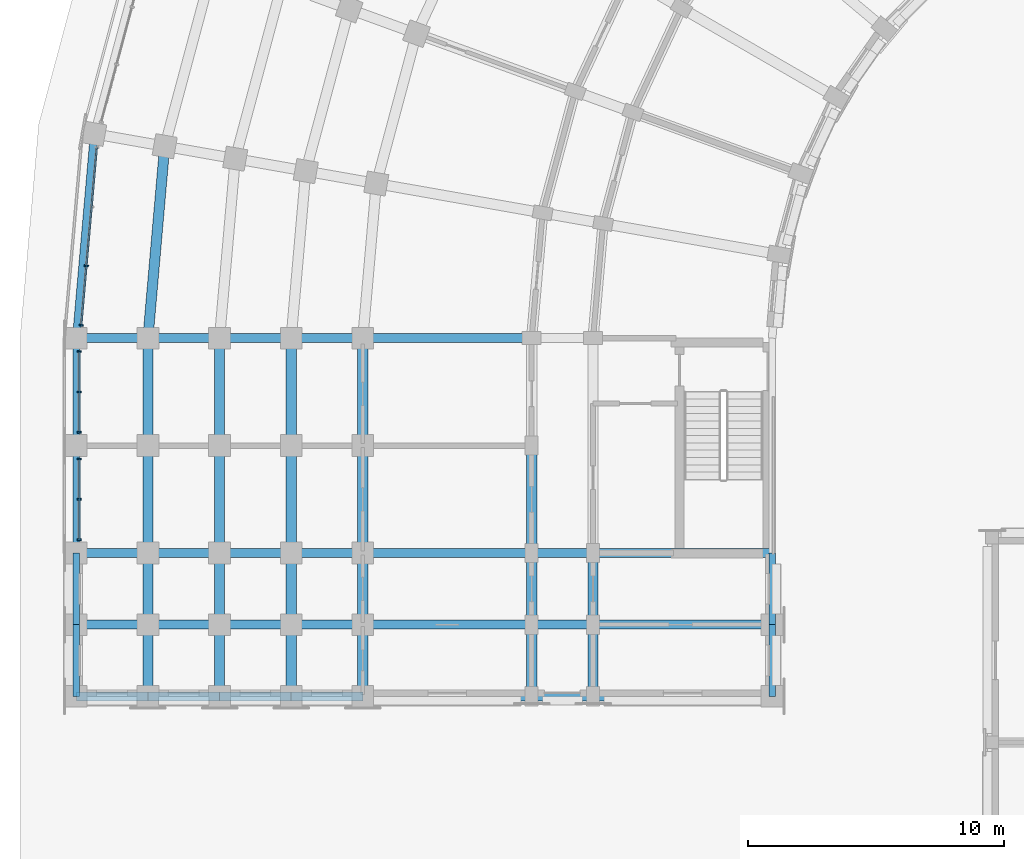
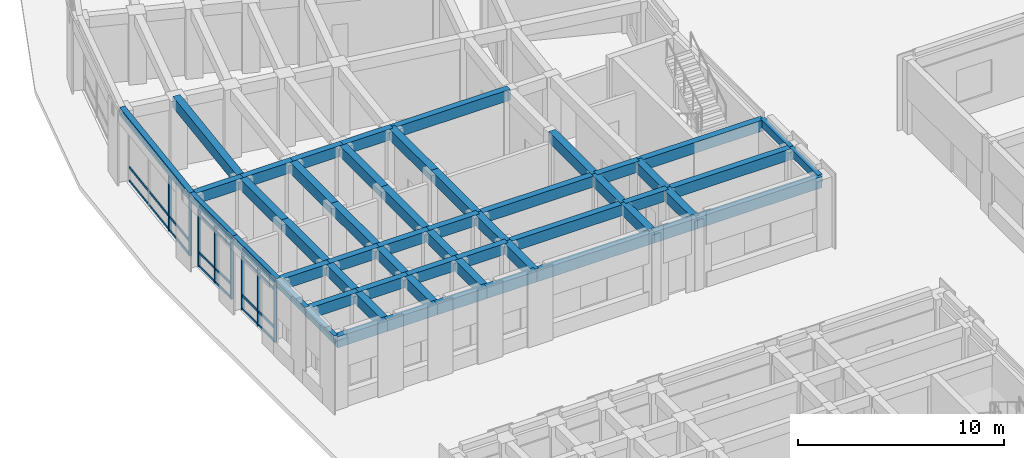
# One storey, part 33 of 135: 55 beams, 18 members, 3 elements without a shape of their own.
"""IFC4 building model written with IfcOpenShell, lengths in metres."""

from ifc_helpers import new_model, si_unit, direction, frame, origin, origin_2d, place, context, subcontext, project, spatial, rectangle, extrude, material, material_profile, profile_set, type_object, element, aggregate, save


model = new_model("IFC4")

# Units and contexts
model_context = context("Model", 3, precision=1e-05, world=origin(), true_north=direction((0.0, 1.0)))
body_context = subcontext(model_context, "Body", "Model", "MODEL_VIEW")
ifc_project = project(units=[si_unit("LENGTHUNIT", "METRE"), si_unit("AREAUNIT", "SQUARE_METRE"), si_unit("VOLUMEUNIT", "CUBIC_METRE"), si_unit("PLANEANGLEUNIT", "RADIAN"), si_unit("MASSUNIT", "GRAM", prefix="KILO")], contexts=[model_context])

# Site, building, storey
site_placement = place(None, origin())
site = spatial("IfcSite", under=ifc_project, at=site_placement, CompositionType="ELEMENT")
building_placement = place(site_placement, origin())
building = spatial("IfcBuilding", under=site, at=building_placement, Name="Kiranvali Square Residences", CompositionType="ELEMENT")
storey_placement = place(building_placement, origin())
storey = spatial("IfcBuildingStorey", under=building, at=storey_placement, Name="L00", CompositionType="ELEMENT", Elevation=0.0)

# Beams
ifc_material_1 = material(Name="Concrete M40 (40 MPa)", Category="concrete")
ifc_material_profile_1 = material_profile(ifc_material_1, rectangle(XDim=0.35009765625, YDim=0.64990234375, at=origin_2d()), Name="RC 350x650")
ifc_profile_set_1 = profile_set([ifc_material_profile_1], Name="Concrete M40 (40 MPa)")
beam_type_1 = type_object("IfcBeamType", Name="BM-M40-350x650", PredefinedType="BEAM", material=ifc_profile_set_1)
beam_1_placement = place(storey_placement, frame((20.0, 87.800048828125, 3.824951171875), z_axis=(-1.0, 0.0, 0.0), x_axis=(0.0, -1.0, 0.0)))
element("IfcBeam", 1, at=beam_1_placement, inside=storey, type_object=beam_type_1, Name="L00 beam BM-A-L00-A2T0-23", PredefinedType="BEAM", context=body_context, shape_type="SweptSolid", body=[
    extrude(rectangle(XDim=0.35009765625, YDim=0.64990234375, at=origin_2d()), origin(), (0.0, 0.0, 1.0), 6.60009765625),
])
beam_2_placement = place(storey_placement, frame((13.39990234375, 87.800048828125, 3.824951171875), z_axis=(-1.0, 0.0, 0.0), x_axis=(0.0, -1.0, 0.0)))
element("IfcBeam", 2, at=beam_2_placement, inside=storey, type_object=beam_type_1, Name="L00 beam BM-A-L00-A2T0-34", PredefinedType="BEAM", context=body_context, shape_type="SweptSolid", body=[
    extrude(rectangle(XDim=0.35009765625, YDim=0.64990234375, at=origin_2d()), origin(), (0.0, 0.0, 1.0), 2.7998046875),
])
for number, where, z_axis, x_axis, name in (
    (3, (10.60009765625, 87.800048828125, 3.824951171875), (-1.0, 0.0, 0.0), (0.0, -1.0, 0.0), "L00 beam BM-A-L00-A2T0-45"),
    (4, (7.800048828125, 87.800048828125, 3.824951171875), (-1.0, 0.0, 0.0), (0.0, -1.0, 0.0), "L00 beam BM-A-L00-A2T0-56"),
    (5, (5.0, 87.800048828125, 3.824951171875), (-1.0, 0.0, 0.0), (0.0, -1.0, 0.0), "L00 beam BM-A-L00-A2T0-67"),
):
    element("IfcBeam", number, at=place(storey_placement, frame(where, z_axis=z_axis, x_axis=x_axis)), inside=storey, type_object=beam_type_1, Name=name, PredefinedType="BEAM", context=body_context, shape_type="SweptSolid", body=[
        extrude(rectangle(XDim=0.35009765625, YDim=0.64990234375, at=origin_2d()), origin(), (0.0, 0.0, 1.0), 2.800048828125),
    ])
beam_3_placement = place(storey_placement, frame((29.39990234375, 79.39990234375, 3.824951171875), z_axis=(-1.0, 0.0, 0.0), x_axis=(0.0, -1.0, 0.0)))
element("IfcBeam", 6, at=beam_3_placement, inside=storey, type_object=beam_type_1, Name="L00 beam BM-A-L00-A2T1-01", PredefinedType="BEAM", context=body_context, shape_type="SweptSolid", body=[
    extrude(rectangle(XDim=0.35009765625, YDim=0.64990234375, at=origin_2d()), origin(), (0.0, 0.0, 1.0), 7.0),
])
beam_4_placement = place(storey_placement, frame((22.39990234375, 79.39990234375, 3.824951171875), z_axis=(-1.0, 0.0, 0.0), x_axis=(0.0, -1.0, 0.0)))
element("IfcBeam", 7, at=beam_4_placement, inside=storey, type_object=beam_type_1, Name="L00 beam BM-A-L00-A2T1-12", PredefinedType="BEAM", context=body_context, shape_type="SweptSolid", body=[
    extrude(rectangle(XDim=0.35009765625, YDim=0.64990234375, at=origin_2d()), origin(), (0.0, 0.0, 1.0), 2.39990234375),
])
beam_5_placement = place(storey_placement, frame((20.0, 79.39990234375, 3.824951171875), z_axis=(-1.0, 0.0, 0.0), x_axis=(0.0, -1.0, 0.0)))
element("IfcBeam", 8, at=beam_5_placement, inside=storey, type_object=beam_type_1, Name="L00 beam BM-A-L00-A2T1-23", PredefinedType="BEAM", context=body_context, shape_type="SweptSolid", body=[
    extrude(rectangle(XDim=0.35009765625, YDim=0.64990234375, at=origin_2d()), origin(), (0.0, 0.0, 1.0), 6.60009765625),
])
beam_6_placement = place(storey_placement, frame((13.39990234375, 79.39990234375, 3.824951171875), z_axis=(-1.0, 0.0, 0.0), x_axis=(0.0, -1.0, 0.0)))
element("IfcBeam", 9, at=beam_6_placement, inside=storey, type_object=beam_type_1, Name="L00 beam BM-A-L00-A2T1-34", PredefinedType="BEAM", context=body_context, shape_type="SweptSolid", body=[
    extrude(rectangle(XDim=0.35009765625, YDim=0.64990234375, at=origin_2d()), origin(), (0.0, 0.0, 1.0), 2.7998046875),
])
for number, where, z_axis, x_axis, name in (
    (10, (10.60009765625, 79.39990234375, 3.824951171875), (-1.0, 0.0, 0.0), (0.0, -1.0, 0.0), "L00 beam BM-A-L00-A2T1-45"),
    (11, (7.800048828125, 79.39990234375, 3.824951171875), (-1.0, 0.0, 0.0), (0.0, -1.0, 0.0), "L00 beam BM-A-L00-A2T1-56"),
    (12, (5.0, 79.39990234375, 3.824951171875), (-1.0, 0.0, 0.0), (0.0, -1.0, 0.0), "L00 beam BM-A-L00-A2T1-67"),
):
    element("IfcBeam", number, at=place(storey_placement, frame(where, z_axis=z_axis, x_axis=x_axis)), inside=storey, type_object=beam_type_1, Name=name, PredefinedType="BEAM", context=body_context, shape_type="SweptSolid", body=[
        extrude(rectangle(XDim=0.35009765625, YDim=0.64990234375, at=origin_2d()), origin(), (0.0, 0.0, 1.0), 2.800048828125),
    ])
beam_7_placement = place(storey_placement, frame((29.39990234375, 76.60009765625, 3.824951171875), z_axis=(-1.0, 0.0, 0.0), x_axis=(0.0, -1.0, 0.0)))
element("IfcBeam", 13, at=beam_7_placement, inside=storey, type_object=beam_type_1, Name="L00 beam BM-A-L00-A2T2-01", PredefinedType="BEAM", context=body_context, shape_type="SweptSolid", body=[
    extrude(rectangle(XDim=0.35009765625, YDim=0.64990234375, at=origin_2d()), origin(), (0.0, 0.0, 1.0), 7.0),
])
beam_8_placement = place(storey_placement, frame((22.39990234375, 76.60009765625, 3.824951171875), z_axis=(-1.0, 0.0, 0.0), x_axis=(0.0, -1.0, 0.0)))
element("IfcBeam", 14, at=beam_8_placement, inside=storey, type_object=beam_type_1, Name="L00 beam BM-A-L00-A2T2-12", PredefinedType="BEAM", context=body_context, shape_type="SweptSolid", body=[
    extrude(rectangle(XDim=0.35009765625, YDim=0.64990234375, at=origin_2d()), origin(), (0.0, 0.0, 1.0), 2.39990234375),
])
beam_9_placement = place(storey_placement, frame((20.0, 76.60009765625, 3.824951171875), z_axis=(-1.0, 0.0, 0.0), x_axis=(0.0, -1.0, 0.0)))
element("IfcBeam", 15, at=beam_9_placement, inside=storey, type_object=beam_type_1, Name="L00 beam BM-A-L00-A2T2-23", PredefinedType="BEAM", context=body_context, shape_type="SweptSolid", body=[
    extrude(rectangle(XDim=0.35009765625, YDim=0.64990234375, at=origin_2d()), origin(), (0.0, 0.0, 1.0), 6.60009765625),
])
beam_10_placement = place(storey_placement, frame((13.39990234375, 76.60009765625, 3.824951171875), z_axis=(-1.0, 0.0, 0.0), x_axis=(0.0, -1.0, 0.0)))
element("IfcBeam", 16, at=beam_10_placement, inside=storey, type_object=beam_type_1, Name="L00 beam BM-A-L00-A2T2-34", PredefinedType="BEAM", context=body_context, shape_type="SweptSolid", body=[
    extrude(rectangle(XDim=0.35009765625, YDim=0.64990234375, at=origin_2d()), origin(), (0.0, 0.0, 1.0), 2.7998046875),
])
for number, where, z_axis, x_axis, name in (
    (17, (10.60009765625, 76.60009765625, 3.824951171875), (-1.0, 0.0, 0.0), (0.0, -1.0, 0.0), "L00 beam BM-A-L00-A2T2-45"),
    (18, (7.800048828125, 76.60009765625, 3.824951171875), (-1.0, 0.0, 0.0), (0.0, -1.0, 0.0), "L00 beam BM-A-L00-A2T2-56"),
    (19, (5.0, 76.60009765625, 3.824951171875), (-1.0, 0.0, 0.0), (0.0, -1.0, 0.0), "L00 beam BM-A-L00-A2T2-67"),
):
    element("IfcBeam", number, at=place(storey_placement, frame(where, z_axis=z_axis, x_axis=x_axis)), inside=storey, type_object=beam_type_1, Name=name, PredefinedType="BEAM", context=body_context, shape_type="SweptSolid", body=[
        extrude(rectangle(XDim=0.35009765625, YDim=0.64990234375, at=origin_2d()), origin(), (0.0, 0.0, 1.0), 2.800048828125),
    ])
beam_11_placement = place(storey_placement, frame((29.39990234375, 73.800048828125, 3.824951171875), z_axis=(-1.0, 0.0, 0.0), x_axis=(0.0, -1.0, 0.0)))
element("IfcBeam", 20, at=beam_11_placement, inside=storey, type_object=beam_type_1, Name="L00 beam BM-A-L00-A2T3-01", PredefinedType="BEAM", context=body_context, shape_type="SweptSolid", body=[
    extrude(rectangle(XDim=0.35009765625, YDim=0.64990234375, at=origin_2d()), origin(), (0.0, 0.0, 1.0), 7.0),
])
beam_12_placement = place(storey_placement, frame((22.39990234375, 73.800048828125, 3.824951171875), z_axis=(-1.0, 0.0, 0.0), x_axis=(0.0, -1.0, 0.0)))
element("IfcBeam", 21, at=beam_12_placement, inside=storey, type_object=beam_type_1, Name="L00 beam BM-A-L00-A2T3-12", PredefinedType="BEAM", context=body_context, shape_type="SweptSolid", body=[
    extrude(rectangle(XDim=0.35009765625, YDim=0.64990234375, at=origin_2d()), origin(), (0.0, 0.0, 1.0), 2.39990234375),
])
beam_13_placement = place(storey_placement, frame((20.0, 73.800048828125, 3.824951171875), z_axis=(-1.0, 0.0, 0.0), x_axis=(0.0, -1.0, 0.0)))
element("IfcBeam", 22, at=beam_13_placement, inside=storey, type_object=beam_type_1, Name="L00 beam BM-A-L00-A2T3-23", PredefinedType="BEAM", context=body_context, shape_type="SweptSolid", body=[
    extrude(rectangle(XDim=0.35009765625, YDim=0.64990234375, at=origin_2d()), origin(), (0.0, 0.0, 1.0), 6.60009765625),
])
beam_14_placement = place(storey_placement, frame((13.39990234375, 73.800048828125, 3.824951171875), z_axis=(-1.0, 0.0, 0.0), x_axis=(0.0, -1.0, 0.0)))
element("IfcBeam", 23, at=beam_14_placement, inside=storey, type_object=beam_type_1, Name="L00 beam BM-A-L00-A2T3-34", PredefinedType="BEAM", context=body_context, shape_type="SweptSolid", body=[
    extrude(rectangle(XDim=0.35009765625, YDim=0.64990234375, at=origin_2d()), origin(), (0.0, 0.0, 1.0), 2.7998046875),
])
for number, where, z_axis, x_axis, name in (
    (24, (10.60009765625, 73.800048828125, 3.824951171875), (-1.0, 0.0, 0.0), (0.0, -1.0, 0.0), "L00 beam BM-A-L00-A2T3-45"),
    (25, (7.800048828125, 73.800048828125, 3.824951171875), (-1.0, 0.0, 0.0), (0.0, -1.0, 0.0), "L00 beam BM-A-L00-A2T3-56"),
    (26, (5.0, 73.800048828125, 3.824951171875), (-1.0, 0.0, 0.0), (0.0, -1.0, 0.0), "L00 beam BM-A-L00-A2T3-67"),
):
    element("IfcBeam", number, at=place(storey_placement, frame(where, z_axis=z_axis, x_axis=x_axis)), inside=storey, type_object=beam_type_1, Name=name, PredefinedType="BEAM", context=body_context, shape_type="SweptSolid", body=[
        extrude(rectangle(XDim=0.35009765625, YDim=0.64990234375, at=origin_2d()), origin(), (0.0, 0.0, 1.0), 2.800048828125),
    ])
ifc_material_2 = material(Name="Concrete M45 (45 MPa)", Category="concrete")
ifc_material_profile_2 = material_profile(ifc_material_2, rectangle(XDim=0.39990234375, YDim=0.64990234375, at=origin_2d()), Name="RC 400x650")
ifc_profile_set_2 = profile_set([ifc_material_profile_2], Name="Concrete M45 (45 MPa)")
beam_type_2 = type_object("IfcBeamType", Name="BM-M45-400x650", PredefinedType="BEAM", material=ifc_profile_set_2)
beam_15_placement = place(storey_placement, frame((5.65625, 95.301513671875, 3.824951171875), z_axis=(-0.087150058103, -0.996195195417, 0.0), x_axis=(0.996195195417, -0.087150058103, 0.0)))
element("IfcBeam", 27, at=beam_15_placement, inside=storey, type_object=beam_type_2, Name="L00 beam BM-A-L00-C08-R6", PredefinedType="BEAM", context=body_context, shape_type="SweptSolid", body=[
    extrude(rectangle(XDim=0.39990234375, YDim=0.64990234375, at=origin_2d()), origin(), (0.0, 0.0, 1.0), 7.530029296875),
])
beam_16_placement = place(storey_placement, frame((22.39990234375, 79.39990234375, 3.824951171875), z_axis=(0.0, -1.0, 0.0), x_axis=(1.0, 0.0, 0.0)))
element("IfcBeam", 28, at=beam_16_placement, inside=storey, type_object=beam_type_2, Name="L00 beam BM-A-L00-A2V1-R1", PredefinedType="BEAM", context=body_context, shape_type="SweptSolid", body=[
    extrude(rectangle(XDim=0.39990234375, YDim=0.64990234375, at=origin_2d()), origin(), (0.0, 0.0, 1.0), 2.7998046875),
])
beam_17_placement = place(storey_placement, frame((22.39990234375, 76.60009765625, 3.824951171875), z_axis=(0.0, -1.0, 0.0), x_axis=(1.0, 0.0, 0.0)))
element("IfcBeam", 29, at=beam_17_placement, inside=storey, type_object=beam_type_2, Name="L00 beam BM-A-L00-A2V2-R1", PredefinedType="BEAM", context=body_context, shape_type="SweptSolid", body=[
    extrude(rectangle(XDim=0.39990234375, YDim=0.64990234375, at=origin_2d()), origin(), (0.0, 0.0, 1.0), 2.800048828125),
])
beam_18_placement = place(storey_placement, frame((20.0, 83.60009765625, 3.824951171875), z_axis=(0.0, -1.0, 0.0), x_axis=(1.0, 0.0, 0.0)))
element("IfcBeam", 30, at=beam_18_placement, inside=storey, type_object=beam_type_2, Name="L00 beam BM-A-L00-A2V1-R2", PredefinedType="BEAM", context=body_context, shape_type="SweptSolid", body=[
    extrude(rectangle(XDim=0.39990234375, YDim=0.64990234375, at=origin_2d()), origin(), (0.0, 0.0, 1.0), 4.2001953125),
])
beam_19_placement = place(storey_placement, frame((20.0, 79.39990234375, 3.824951171875), z_axis=(0.0, -1.0, 0.0), x_axis=(1.0, 0.0, 0.0)))
element("IfcBeam", 31, at=beam_19_placement, inside=storey, type_object=beam_type_2, Name="L00 beam BM-A-L00-A2V2-R2", PredefinedType="BEAM", context=body_context, shape_type="SweptSolid", body=[
    extrude(rectangle(XDim=0.39990234375, YDim=0.64990234375, at=origin_2d()), origin(), (0.0, 0.0, 1.0), 2.7998046875),
])
beam_20_placement = place(storey_placement, frame((20.0, 76.60009765625, 3.824951171875), z_axis=(0.0, -1.0, 0.0), x_axis=(1.0, 0.0, 0.0)))
element("IfcBeam", 32, at=beam_20_placement, inside=storey, type_object=beam_type_2, Name="L00 beam BM-A-L00-A2V3-R2", PredefinedType="BEAM", context=body_context, shape_type="SweptSolid", body=[
    extrude(rectangle(XDim=0.39990234375, YDim=0.64990234375, at=origin_2d()), origin(), (0.0, 0.0, 1.0), 2.800048828125),
])
beam_21_placement = place(storey_placement, frame((13.39990234375, 87.800048828125, 3.824951171875), z_axis=(0.0, -1.0, 0.0), x_axis=(1.0, 0.0, 0.0)))
element("IfcBeam", 33, at=beam_21_placement, inside=storey, type_object=beam_type_2, Name="L00 beam BM-A-L00-A2V0-R3", PredefinedType="BEAM", context=body_context, shape_type="SweptSolid", body=[
    extrude(rectangle(XDim=0.39990234375, YDim=0.64990234375, at=origin_2d()), origin(), (0.0, 0.0, 1.0), 4.199951171875),
])
beam_22_placement = place(storey_placement, frame((13.39990234375, 83.60009765625, 3.824951171875), z_axis=(0.0, -1.0, 0.0), x_axis=(1.0, 0.0, 0.0)))
element("IfcBeam", 34, at=beam_22_placement, inside=storey, type_object=beam_type_2, Name="L00 beam BM-A-L00-A2V1-R3", PredefinedType="BEAM", context=body_context, shape_type="SweptSolid", body=[
    extrude(rectangle(XDim=0.39990234375, YDim=0.64990234375, at=origin_2d()), origin(), (0.0, 0.0, 1.0), 4.2001953125),
])
beam_23_placement = place(storey_placement, frame((13.39990234375, 79.39990234375, 3.824951171875), z_axis=(0.0, -1.0, 0.0), x_axis=(1.0, 0.0, 0.0)))
element("IfcBeam", 35, at=beam_23_placement, inside=storey, type_object=beam_type_2, Name="L00 beam BM-A-L00-A2V2-R3", PredefinedType="BEAM", context=body_context, shape_type="SweptSolid", body=[
    extrude(rectangle(XDim=0.39990234375, YDim=0.64990234375, at=origin_2d()), origin(), (0.0, 0.0, 1.0), 2.7998046875),
])
beam_24_placement = place(storey_placement, frame((13.39990234375, 76.60009765625, 3.824951171875), z_axis=(0.0, -1.0, 0.0), x_axis=(1.0, 0.0, 0.0)))
element("IfcBeam", 36, at=beam_24_placement, inside=storey, type_object=beam_type_2, Name="L00 beam BM-A-L00-A2V3-R3", PredefinedType="BEAM", context=body_context, shape_type="SweptSolid", body=[
    extrude(rectangle(XDim=0.39990234375, YDim=0.64990234375, at=origin_2d()), origin(), (0.0, 0.0, 1.0), 2.800048828125),
])
beam_25_placement = place(storey_placement, frame((10.60009765625, 87.800048828125, 3.824951171875), z_axis=(0.0, -1.0, 0.0), x_axis=(1.0, 0.0, 0.0)))
element("IfcBeam", 37, at=beam_25_placement, inside=storey, type_object=beam_type_2, Name="L00 beam BM-A-L00-A2V0-R4", PredefinedType="BEAM", context=body_context, shape_type="SweptSolid", body=[
    extrude(rectangle(XDim=0.39990234375, YDim=0.64990234375, at=origin_2d()), origin(), (0.0, 0.0, 1.0), 4.199951171875),
])
beam_26_placement = place(storey_placement, frame((10.60009765625, 83.60009765625, 3.824951171875), z_axis=(0.0, -1.0, 0.0), x_axis=(1.0, 0.0, 0.0)))
element("IfcBeam", 38, at=beam_26_placement, inside=storey, type_object=beam_type_2, Name="L00 beam BM-A-L00-A2V1-R4", PredefinedType="BEAM", context=body_context, shape_type="SweptSolid", body=[
    extrude(rectangle(XDim=0.39990234375, YDim=0.64990234375, at=origin_2d()), origin(), (0.0, 0.0, 1.0), 4.2001953125),
])
beam_27_placement = place(storey_placement, frame((10.60009765625, 79.39990234375, 3.824951171875), z_axis=(0.0, -1.0, 0.0), x_axis=(1.0, 0.0, 0.0)))
element("IfcBeam", 39, at=beam_27_placement, inside=storey, type_object=beam_type_2, Name="L00 beam BM-A-L00-A2V2-R4", PredefinedType="BEAM", context=body_context, shape_type="SweptSolid", body=[
    extrude(rectangle(XDim=0.39990234375, YDim=0.64990234375, at=origin_2d()), origin(), (0.0, 0.0, 1.0), 2.7998046875),
])
beam_28_placement = place(storey_placement, frame((10.60009765625, 76.60009765625, 3.824951171875), z_axis=(0.0, -1.0, 0.0), x_axis=(1.0, 0.0, 0.0)))
element("IfcBeam", 40, at=beam_28_placement, inside=storey, type_object=beam_type_2, Name="L00 beam BM-A-L00-A2V3-R4", PredefinedType="BEAM", context=body_context, shape_type="SweptSolid", body=[
    extrude(rectangle(XDim=0.39990234375, YDim=0.64990234375, at=origin_2d()), origin(), (0.0, 0.0, 1.0), 2.800048828125),
])
beam_29_placement = place(storey_placement, frame((7.800048828125, 87.800048828125, 3.824951171875), z_axis=(0.0, -1.0, 0.0), x_axis=(1.0, 0.0, 0.0)))
element("IfcBeam", 41, at=beam_29_placement, inside=storey, type_object=beam_type_2, Name="L00 beam BM-A-L00-A2V0-R5", PredefinedType="BEAM", context=body_context, shape_type="SweptSolid", body=[
    extrude(rectangle(XDim=0.39990234375, YDim=0.64990234375, at=origin_2d()), origin(), (0.0, 0.0, 1.0), 4.199951171875),
])
beam_30_placement = place(storey_placement, frame((7.800048828125, 83.60009765625, 3.824951171875), z_axis=(0.0, -1.0, 0.0), x_axis=(1.0, 0.0, 0.0)))
element("IfcBeam", 42, at=beam_30_placement, inside=storey, type_object=beam_type_2, Name="L00 beam BM-A-L00-A2V1-R5", PredefinedType="BEAM", context=body_context, shape_type="SweptSolid", body=[
    extrude(rectangle(XDim=0.39990234375, YDim=0.64990234375, at=origin_2d()), origin(), (0.0, 0.0, 1.0), 4.2001953125),
])
beam_31_placement = place(storey_placement, frame((7.800048828125, 79.39990234375, 3.824951171875), z_axis=(0.0, -1.0, 0.0), x_axis=(1.0, 0.0, 0.0)))
element("IfcBeam", 43, at=beam_31_placement, inside=storey, type_object=beam_type_2, Name="L00 beam BM-A-L00-A2V2-R5", PredefinedType="BEAM", context=body_context, shape_type="SweptSolid", body=[
    extrude(rectangle(XDim=0.39990234375, YDim=0.64990234375, at=origin_2d()), origin(), (0.0, 0.0, 1.0), 2.7998046875),
])
beam_32_placement = place(storey_placement, frame((7.800048828125, 76.60009765625, 3.824951171875), z_axis=(0.0, -1.0, 0.0), x_axis=(1.0, 0.0, 0.0)))
element("IfcBeam", 44, at=beam_32_placement, inside=storey, type_object=beam_type_2, Name="L00 beam BM-A-L00-A2V3-R5", PredefinedType="BEAM", context=body_context, shape_type="SweptSolid", body=[
    extrude(rectangle(XDim=0.39990234375, YDim=0.64990234375, at=origin_2d()), origin(), (0.0, 0.0, 1.0), 2.800048828125),
])
beam_33_placement = place(storey_placement, frame((5.0, 87.800048828125, 3.824951171875), z_axis=(0.0, -1.0, 0.0), x_axis=(1.0, 0.0, 0.0)))
element("IfcBeam", 45, at=beam_33_placement, inside=storey, type_object=beam_type_2, Name="L00 beam BM-A-L00-A2V0-R6", PredefinedType="BEAM", context=body_context, shape_type="SweptSolid", body=[
    extrude(rectangle(XDim=0.39990234375, YDim=0.64990234375, at=origin_2d()), origin(), (0.0, 0.0, 1.0), 4.199951171875),
])
beam_34_placement = place(storey_placement, frame((5.0, 83.60009765625, 3.824951171875), z_axis=(0.0, -1.0, 0.0), x_axis=(1.0, 0.0, 0.0)))
element("IfcBeam", 46, at=beam_34_placement, inside=storey, type_object=beam_type_2, Name="L00 beam BM-A-L00-A2V1-R6", PredefinedType="BEAM", context=body_context, shape_type="SweptSolid", body=[
    extrude(rectangle(XDim=0.39990234375, YDim=0.64990234375, at=origin_2d()), origin(), (0.0, 0.0, 1.0), 4.2001953125),
])
beam_35_placement = place(storey_placement, frame((5.0, 79.39990234375, 3.824951171875), z_axis=(0.0, -1.0, 0.0), x_axis=(1.0, 0.0, 0.0)))
element("IfcBeam", 47, at=beam_35_placement, inside=storey, type_object=beam_type_2, Name="L00 beam BM-A-L00-A2V2-R6", PredefinedType="BEAM", context=body_context, shape_type="SweptSolid", body=[
    extrude(rectangle(XDim=0.39990234375, YDim=0.64990234375, at=origin_2d()), origin(), (0.0, 0.0, 1.0), 2.7998046875),
])
beam_36_placement = place(storey_placement, frame((5.0, 76.60009765625, 3.824951171875), z_axis=(0.0, -1.0, 0.0), x_axis=(1.0, 0.0, 0.0)))
element("IfcBeam", 48, at=beam_36_placement, inside=storey, type_object=beam_type_2, Name="L00 beam BM-A-L00-A2V3-R6", PredefinedType="BEAM", context=body_context, shape_type="SweptSolid", body=[
    extrude(rectangle(XDim=0.39990234375, YDim=0.64990234375, at=origin_2d()), origin(), (0.0, 0.0, 1.0), 2.800048828125),
])

# Curtain wall, members
ifc_material_3 = material(Name="Anodised bronze aluminium framing", Category="aluminium")
curtain_wall_type = type_object("IfcCurtainWallType", Name="CW-RET-SHOP", PredefinedType="USERDEFINED", material=ifc_material_3)
curtain_wall_1_placement = place(storey_placement, origin())
curtain_wall_1 = element("IfcCurtainWall", 49, at=curtain_wall_1_placement, inside=storey, type_object=curtain_wall_type, Name="Block A L00 rounded-corner arcade curtain wall 9", ObjectType="CURTAIN WALL", PredefinedType="USERDEFINED")
ifc_material_profile_3 = material_profile(ifc_material_3, rectangle(XDim=0.06494140625, YDim=0.159912109375, at=origin_2d()), Name="ALU 65x160")
ifc_profile_set_3 = profile_set([ifc_material_profile_3], Name="Anodised bronze aluminium framing")
member_type_1 = type_object("IfcMemberType", Name="CW-MUL-160", PredefinedType="MULLION", material=ifc_profile_set_3)
member_1_placement = place(storey_placement, frame((2.597412109375, 90.622314453125, 0.02001953125), z_axis=(0.0, 0.0, 1.0), x_axis=(-0.087155742748, -0.996194698092, 0.0)))
member_1 = element("IfcMember", 50, at=member_1_placement, type_object=member_type_1, Name="CW-A-L00-CRV-08 vertical mullion 3", PredefinedType="MULLION", context=body_context, shape_type="SweptSolid", body=[
    extrude(rectangle(XDim=0.06494140625, YDim=0.159912109375, at=origin_2d()), origin(), (0.0, 0.0, 1.0), 3.60986328125),
])
member_2_placement = place(storey_placement, frame((2.394775390625, 88.304931640625, 0.02001953125), z_axis=(0.0, 0.0, 1.0), x_axis=(-0.087155742748, -0.996194698092, 0.0)))
member_2 = element("IfcMember", 51, at=member_2_placement, type_object=member_type_1, Name="CW-A-L00-CRV-08 vertical mullion 4", PredefinedType="MULLION", context=body_context, shape_type="SweptSolid", body=[
    extrude(rectangle(XDim=0.06494140625, YDim=0.159912109375, at=origin_2d()), origin(), (0.0, 0.0, 1.0), 3.60986328125),
])

curtain_wall_2_placement = place(storey_placement, origin())
curtain_wall_2 = element("IfcCurtainWall", 52, at=curtain_wall_2_placement, inside=storey, type_object=curtain_wall_type, Name="L00 curtain wall CW-A-L00-A2-0", ObjectType="CURTAIN WALL", PredefinedType="USERDEFINED")
member_3_placement = place(storey_placement, frame((2.320068359375, 87.280029296875, 0.02001953125), z_axis=(0.0, 0.0, 1.0), x_axis=(0.0, -1.0, 0.0)))
member_3 = element("IfcMember", 53, at=member_3_placement, type_object=member_type_1, Name="CW-A-L00-A2-0 vertical mullion 1", PredefinedType="MULLION", context=body_context, shape_type="SweptSolid", body=[
    extrude(rectangle(XDim=0.06494140625, YDim=0.159912109375, at=origin_2d()), origin(), (0.0, 0.0, 1.0), 3.60986328125),
])
member_4_placement = place(storey_placement, frame((2.320068359375, 85.699951171875, 0.02001953125), z_axis=(0.0, 0.0, 1.0), x_axis=(0.0, -1.0, 0.0)))
member_4 = element("IfcMember", 54, at=member_4_placement, type_object=member_type_1, Name="CW-A-L00-A2-0 vertical mullion 2", PredefinedType="MULLION", context=body_context, shape_type="SweptSolid", body=[
    extrude(rectangle(XDim=0.06494140625, YDim=0.159912109375, at=origin_2d()), origin(), (0.0, 0.0, 1.0), 3.60986328125),
])
member_5_placement = place(storey_placement, frame((2.320068359375, 84.1201171875, 0.02001953125), z_axis=(0.0, 0.0, 1.0), x_axis=(0.0, -1.0, 0.0)))
member_5 = element("IfcMember", 55, at=member_5_placement, type_object=member_type_1, Name="CW-A-L00-A2-0 vertical mullion 3", PredefinedType="MULLION", context=body_context, shape_type="SweptSolid", body=[
    extrude(rectangle(XDim=0.06494140625, YDim=0.159912109375, at=origin_2d()), origin(), (0.0, 0.0, 1.0), 3.60986328125),
])

curtain_wall_3_placement = place(storey_placement, origin())
curtain_wall_3 = element("IfcCurtainWall", 56, at=curtain_wall_3_placement, inside=storey, type_object=curtain_wall_type, Name="L00 curtain wall CW-A-L00-A2-1", ObjectType="CURTAIN WALL", PredefinedType="USERDEFINED")
member_6_placement = place(storey_placement, frame((2.320068359375, 83.080078125, 0.02001953125), z_axis=(0.0, 0.0, 1.0), x_axis=(0.0, -1.0, 0.0)))
member_6 = element("IfcMember", 57, at=member_6_placement, type_object=member_type_1, Name="CW-A-L00-A2-1 vertical mullion 1", PredefinedType="MULLION", context=body_context, shape_type="SweptSolid", body=[
    extrude(rectangle(XDim=0.06494140625, YDim=0.159912109375, at=origin_2d()), origin(), (0.0, 0.0, 1.0), 3.60986328125),
])
member_7_placement = place(storey_placement, frame((2.320068359375, 81.5, 0.02001953125), z_axis=(0.0, 0.0, 1.0), x_axis=(0.0, -1.0, 0.0)))
member_7 = element("IfcMember", 58, at=member_7_placement, type_object=member_type_1, Name="CW-A-L00-A2-1 vertical mullion 2", PredefinedType="MULLION", context=body_context, shape_type="SweptSolid", body=[
    extrude(rectangle(XDim=0.06494140625, YDim=0.159912109375, at=origin_2d()), origin(), (0.0, 0.0, 1.0), 3.60986328125),
])
member_8_placement = place(storey_placement, frame((2.320068359375, 79.919921875, 0.02001953125), z_axis=(0.0, 0.0, 1.0), x_axis=(0.0, -1.0, 0.0)))
member_8 = element("IfcMember", 59, at=member_8_placement, type_object=member_type_1, Name="CW-A-L00-A2-1 vertical mullion 3", PredefinedType="MULLION", context=body_context, shape_type="SweptSolid", body=[
    extrude(rectangle(XDim=0.06494140625, YDim=0.159912109375, at=origin_2d()), origin(), (0.0, 0.0, 1.0), 3.60986328125),
])

# Member
ifc_material_profile_4 = material_profile(ifc_material_3, rectangle(XDim=0.06494140625, YDim=0.139892578125, at=origin_2d()), Name="ALU 65x140")
ifc_profile_set_4 = profile_set([ifc_material_profile_4], Name="Anodised bronze aluminium framing")
member_type_2 = type_object("IfcMemberType", Name="CW-TRN-140", PredefinedType="MULLION", material=ifc_profile_set_4)
member_9_placement = place(storey_placement, frame((3.002197265625, 95.246826171875, 0.0400390625), z_axis=(-0.087188277046, -0.996191851174, 0.0), x_axis=(0.996191851174, -0.087188277046, 0.0)))
member_9 = element("IfcMember", 60, at=member_9_placement, type_object=member_type_2, Name="CW-A-L00-CRV-08 horizontal transom 1", PredefinedType="MULLION", context=body_context, shape_type="SweptSolid", body=[
    extrude(rectangle(XDim=0.06494140625, YDim=0.139892578125, at=origin_2d()), origin(), (0.0, 0.0, 1.0), 6.95849609375),
])

member_10_placement = place(storey_placement, frame((3.002197265625, 95.246826171875, 0.85009765625), z_axis=(-0.087188277046, -0.996191851174, 0.0), x_axis=(0.996191851174, -0.087188277046, 0.0)))
member_10 = element("IfcMember", 61, at=member_10_placement, type_object=member_type_2, Name="CW-A-L00-CRV-08 horizontal transom 2", PredefinedType="MULLION", context=body_context, shape_type="SweptSolid", body=[
    extrude(rectangle(XDim=0.06494140625, YDim=0.139892578125, at=origin_2d()), origin(), (0.0, 0.0, 1.0), 6.95849609375),
])

aggregate(curtain_wall_1, [member_1, member_2, member_9, member_10])

member_11_placement = place(storey_placement, frame((2.320068359375, 87.27001953125, 0.0400390625), z_axis=(0.0, -1.0, 0.0), x_axis=(1.0, 0.0, 0.0)))
member_11 = element("IfcMember", 62, at=member_11_placement, type_object=member_type_2, Name="CW-A-L00-A2-0 horizontal transom 1", PredefinedType="MULLION", context=body_context, shape_type="SweptSolid", body=[
    extrude(rectangle(XDim=0.06494140625, YDim=0.139892578125, at=origin_2d()), origin(), (0.0, 0.0, 1.0), 3.14013671875),
])

member_12_placement = place(storey_placement, frame((2.320068359375, 87.27001953125, 0.85009765625), z_axis=(0.0, -1.0, 0.0), x_axis=(1.0, 0.0, 0.0)))
member_12 = element("IfcMember", 63, at=member_12_placement, type_object=member_type_2, Name="CW-A-L00-A2-0 horizontal transom 2", PredefinedType="MULLION", context=body_context, shape_type="SweptSolid", body=[
    extrude(rectangle(XDim=0.06494140625, YDim=0.139892578125, at=origin_2d()), origin(), (0.0, 0.0, 1.0), 3.14013671875),
])

member_13_placement = place(storey_placement, frame((2.320068359375, 87.27001953125, 3.10009765625), z_axis=(0.0, -1.0, 0.0), x_axis=(1.0, 0.0, 0.0)))
member_13 = element("IfcMember", 64, at=member_13_placement, type_object=member_type_2, Name="CW-A-L00-A2-0 horizontal transom 3", PredefinedType="MULLION", context=body_context, shape_type="SweptSolid", body=[
    extrude(rectangle(XDim=0.06494140625, YDim=0.139892578125, at=origin_2d()), origin(), (0.0, 0.0, 1.0), 3.14013671875),
])

member_14_placement = place(storey_placement, frame((2.320068359375, 87.27001953125, 3.610107421875), z_axis=(0.0, -1.0, 0.0), x_axis=(1.0, 0.0, 0.0)))
member_14 = element("IfcMember", 65, at=member_14_placement, type_object=member_type_2, Name="CW-A-L00-A2-0 horizontal transom 4", PredefinedType="MULLION", context=body_context, shape_type="SweptSolid", body=[
    extrude(rectangle(XDim=0.06494140625, YDim=0.139892578125, at=origin_2d()), origin(), (0.0, 0.0, 1.0), 3.14013671875),
])

aggregate(curtain_wall_2, [member_3, member_4, member_5, member_11, member_12, member_13, member_14])

member_15_placement = place(storey_placement, frame((2.320068359375, 83.070068359375, 0.0400390625), z_axis=(0.0, -1.0, 0.0), x_axis=(1.0, 0.0, 0.0)))
member_15 = element("IfcMember", 66, at=member_15_placement, type_object=member_type_2, Name="CW-A-L00-A2-1 horizontal transom 1", PredefinedType="MULLION", context=body_context, shape_type="SweptSolid", body=[
    extrude(rectangle(XDim=0.06494140625, YDim=0.139892578125, at=origin_2d()), origin(), (0.0, 0.0, 1.0), 3.14013671875),
])

member_16_placement = place(storey_placement, frame((2.320068359375, 83.070068359375, 0.85009765625), z_axis=(0.0, -1.0, 0.0), x_axis=(1.0, 0.0, 0.0)))
member_16 = element("IfcMember", 67, at=member_16_placement, type_object=member_type_2, Name="CW-A-L00-A2-1 horizontal transom 2", PredefinedType="MULLION", context=body_context, shape_type="SweptSolid", body=[
    extrude(rectangle(XDim=0.06494140625, YDim=0.139892578125, at=origin_2d()), origin(), (0.0, 0.0, 1.0), 3.14013671875),
])

member_17_placement = place(storey_placement, frame((2.320068359375, 83.070068359375, 3.10009765625), z_axis=(0.0, -1.0, 0.0), x_axis=(1.0, 0.0, 0.0)))
member_17 = element("IfcMember", 68, at=member_17_placement, type_object=member_type_2, Name="CW-A-L00-A2-1 horizontal transom 3", PredefinedType="MULLION", context=body_context, shape_type="SweptSolid", body=[
    extrude(rectangle(XDim=0.06494140625, YDim=0.139892578125, at=origin_2d()), origin(), (0.0, 0.0, 1.0), 3.14013671875),
])

member_18_placement = place(storey_placement, frame((2.320068359375, 83.070068359375, 3.610107421875), z_axis=(0.0, -1.0, 0.0), x_axis=(1.0, 0.0, 0.0)))
member_18 = element("IfcMember", 69, at=member_18_placement, type_object=member_type_2, Name="CW-A-L00-A2-1 horizontal transom 4", PredefinedType="MULLION", context=body_context, shape_type="SweptSolid", body=[
    extrude(rectangle(XDim=0.06494140625, YDim=0.139892578125, at=origin_2d()), origin(), (0.0, 0.0, 1.0), 3.14013671875),
])

aggregate(curtain_wall_3, [member_6, member_7, member_8, member_15, member_16, member_17, member_18])

# Beams
ifc_material_profile_5 = material_profile(ifc_material_1, rectangle(XDim=0.25, YDim=0.449951171875, at=origin_2d()), Name="RC 250x450")
ifc_profile_set_5 = profile_set([ifc_material_profile_5], Name="Concrete M40 (40 MPa)")
beam_type_3 = type_object("IfcBeamType", Name="SPN-M40-250x450", PredefinedType="SPANDREL", material=ifc_profile_set_5)
beam_37_placement = place(storey_placement, frame((29.39990234375, 79.39990234375, 3.925048828125), z_axis=(0.0, -1.0, 0.0), x_axis=(1.0, 0.0, 0.0)))
element("IfcBeam", 70, at=beam_37_placement, inside=storey, type_object=beam_type_3, Name="L00 beam BM-A-L00-A2V1-R0", PredefinedType="SPANDREL", context=body_context, shape_type="SweptSolid", body=[
    extrude(rectangle(XDim=0.25, YDim=0.449951171875, at=origin_2d()), origin(), (0.0, 0.0, 1.0), 2.7998046875),
])
beam_38_placement = place(storey_placement, frame((29.39990234375, 76.60009765625, 3.925048828125), z_axis=(0.0, -1.0, 0.0), x_axis=(1.0, 0.0, 0.0)))
element("IfcBeam", 71, at=beam_38_placement, inside=storey, type_object=beam_type_3, Name="L00 beam BM-A-L00-A2V2-R0", PredefinedType="SPANDREL", context=body_context, shape_type="SweptSolid", body=[
    extrude(rectangle(XDim=0.25, YDim=0.449951171875, at=origin_2d()), origin(), (0.0, 0.0, 1.0), 2.800048828125),
])
beam_39_placement = place(storey_placement, frame((2.199951171875, 87.800048828125, 3.925048828125), z_axis=(0.0, -1.0, 0.0), x_axis=(1.0, 0.0, 0.0)))
element("IfcBeam", 72, at=beam_39_placement, inside=storey, type_object=beam_type_3, Name="L00 beam BM-A-L00-A2V0-R7", PredefinedType="SPANDREL", context=body_context, shape_type="SweptSolid", body=[
    extrude(rectangle(XDim=0.25, YDim=0.449951171875, at=origin_2d()), origin(), (0.0, 0.0, 1.0), 4.199951171875),
])
beam_40_placement = place(storey_placement, frame((2.199951171875, 83.60009765625, 3.925048828125), z_axis=(0.0, -1.0, 0.0), x_axis=(1.0, 0.0, 0.0)))
element("IfcBeam", 73, at=beam_40_placement, inside=storey, type_object=beam_type_3, Name="L00 beam BM-A-L00-A2V1-R7", PredefinedType="SPANDREL", context=body_context, shape_type="SweptSolid", body=[
    extrude(rectangle(XDim=0.25, YDim=0.449951171875, at=origin_2d()), origin(), (0.0, 0.0, 1.0), 4.2001953125),
])
beam_41_placement = place(storey_placement, frame((2.199951171875, 79.39990234375, 3.925048828125), z_axis=(0.0, -1.0, 0.0), x_axis=(1.0, 0.0, 0.0)))
element("IfcBeam", 74, at=beam_41_placement, inside=storey, type_object=beam_type_3, Name="L00 beam BM-A-L00-A2V2-R7", PredefinedType="SPANDREL", context=body_context, shape_type="SweptSolid", body=[
    extrude(rectangle(XDim=0.25, YDim=0.449951171875, at=origin_2d()), origin(), (0.0, 0.0, 1.0), 2.7998046875),
])
beam_42_placement = place(storey_placement, frame((2.199951171875, 76.60009765625, 3.925048828125), z_axis=(0.0, -1.0, 0.0), x_axis=(1.0, 0.0, 0.0)))
element("IfcBeam", 75, at=beam_42_placement, inside=storey, type_object=beam_type_3, Name="L00 beam BM-A-L00-A2V3-R7", PredefinedType="SPANDREL", context=body_context, shape_type="SweptSolid", body=[
    extrude(rectangle(XDim=0.25, YDim=0.449951171875, at=origin_2d()), origin(), (0.0, 0.0, 1.0), 2.800048828125),
])
ifc_material_profile_6 = material_profile(ifc_material_1, rectangle(XDim=0.300048828125, YDim=0.449951171875, at=origin_2d()), Name="RC 300x450")
ifc_profile_set_6 = profile_set([ifc_material_profile_6], Name="Concrete M40 (40 MPa)")
beam_type_4 = type_object("IfcBeamType", Name="SPN-M40-300x450", PredefinedType="SPANDREL", material=ifc_profile_set_6)
beam_43_placement = place(storey_placement, frame((2.89892578125, 95.787841796875, 3.925048828125), z_axis=(-0.087172238171, -0.996193254792, 0.0), x_axis=(0.996193254792, -0.087172238171, 0.0)))
element("IfcBeam", 76, at=beam_43_placement, inside=storey, type_object=beam_type_4, Name="L00 beam BM-A-L00-C08-R7", PredefinedType="SPANDREL", context=body_context, shape_type="SweptSolid", body=[
    extrude(rectangle(XDim=0.300048828125, YDim=0.449951171875, at=origin_2d()), origin(), (0.0, 0.0, 1.0), 8.018310546875),
])

save(model, "model.ifc")
